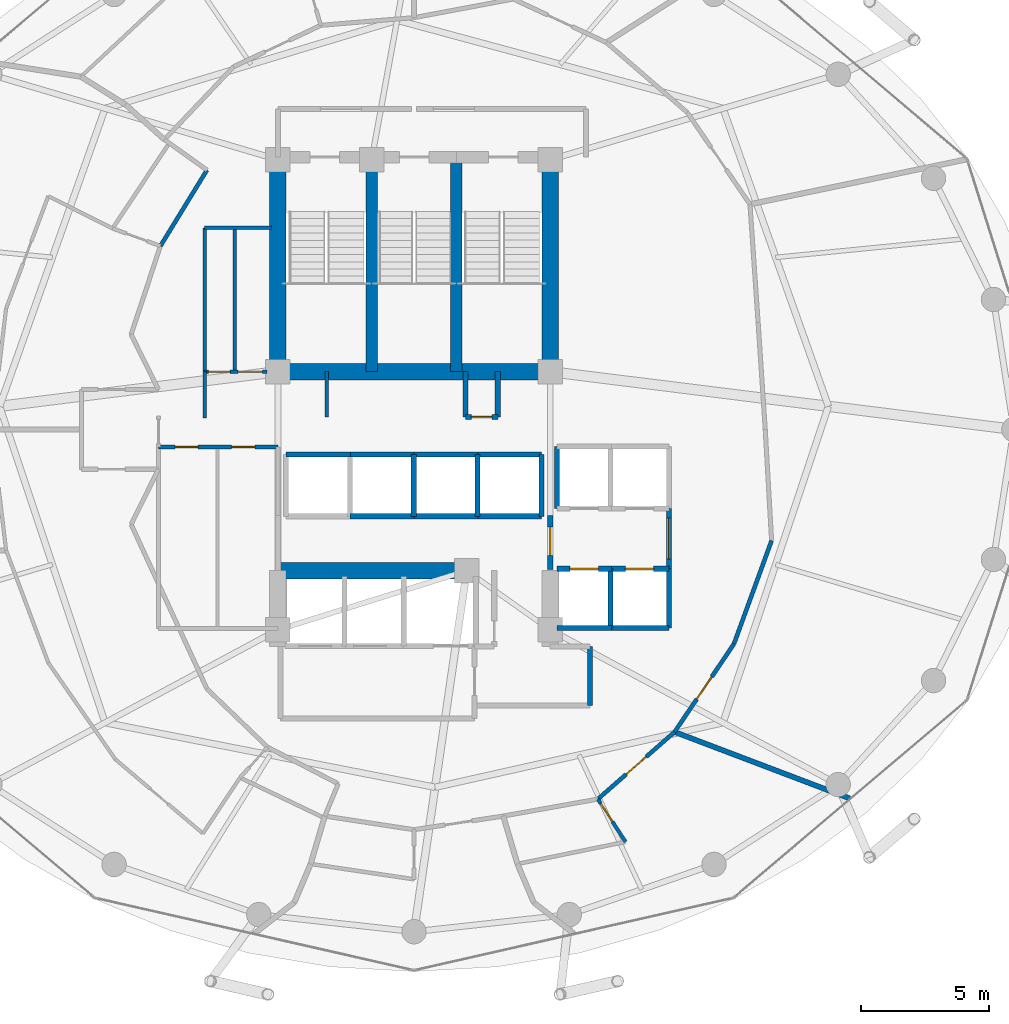
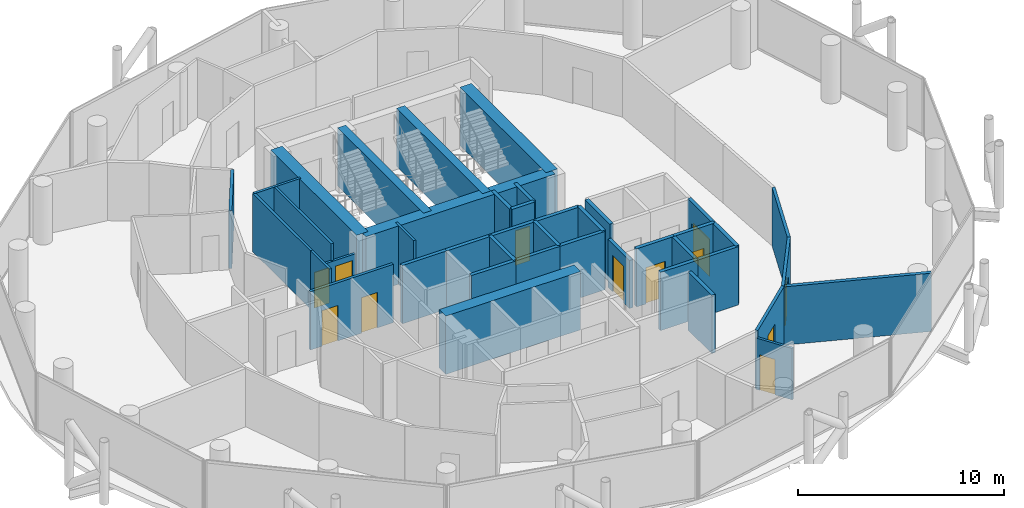
# One storey, part 23 of 26: 42 walls, 12 doors, 12 openings.
"""IFC4 building model written with IfcOpenShell, lengths in metres."""

from ifc_helpers import new_model, si_unit, direction, frame, frame_2d, origin, place, context, subcontext, project, spatial, rectangle, extrude, material, layer, layer_set, type_object, element, fill, save


model = new_model("IFC4")

# Units and contexts
model_context = context("Model", 3, precision=1e-05, world=origin(), true_north=direction((0.0, 1.0)))
body_context = subcontext(model_context, "Body", "Model", "MODEL_VIEW")
ifc_project = project(units=[si_unit("LENGTHUNIT", "METRE"), si_unit("AREAUNIT", "SQUARE_METRE"), si_unit("VOLUMEUNIT", "CUBIC_METRE"), si_unit("PLANEANGLEUNIT", "RADIAN"), si_unit("MASSUNIT", "GRAM", prefix="KILO")], contexts=[model_context])

# Site, building, storey
site_placement = place(None, origin())
site = spatial("IfcSite", under=ifc_project, at=site_placement, CompositionType="ELEMENT")
building_placement = place(site_placement, origin())
building = spatial("IfcBuilding", under=site, at=building_placement, Name="Nuhasar Tower", CompositionType="ELEMENT")
storey_placement = place(building_placement, frame((0.0, 0.0, 140.449951171875)))
storey = spatial("IfcBuildingStorey", under=building, at=storey_placement, Name="L33", CompositionType="ELEMENT", Elevation=140.449951171875)

# Walls
ifc_material_1 = material(Name="Concrete C50/60", Category="concrete")
ifc_layer_1 = layer(ifc_material_1, 0.449951171875)
ifc_layer_set_1 = layer_set([ifc_layer_1], Name="Concrete C50/60")
wall_type_1 = type_object("IfcWallType", Name="WL-CORE-450", PredefinedType="SHEAR", material=ifc_layer_set_1)
for number, where, z_axis, x_axis, name in (
    (1, (37.35009765625, 29.050048828125, 0.0), (0.0, 0.0, 1.0), (0.0, 1.0, 0.0), "L33 Stairwell Shear Wall ST01-E"),
    (2, (40.64990234375, 29.050048828125, 0.0), (0.0, 0.0, 1.0), (0.0, 1.0, 0.0), "L33 Stairwell Shear Wall ST03-E"),
):
    element("IfcWall", number, at=place(storey_placement, frame(where, z_axis=z_axis, x_axis=x_axis)), inside=storey, type_object=wall_type_1, Name=name, PredefinedType="SHEAR", context=body_context, shape_type="SweptSolid", body=[
        extrude(rectangle(XDim=8.349853515625, YDim=0.449951171875, at=frame_2d((4.1748046875, 0.0))), origin(), (0.0, 0.0, 1.0), 3.449951171875),
    ])
ifc_material_2 = material(Name="Concrete C65/80", Category="concrete")
ifc_layer_2 = layer(ifc_material_2, 0.64990234375)
ifc_layer_set_2 = layer_set([ifc_layer_2], Name="Concrete C65/80")
wall_type_2 = type_object("IfcWallType", Name="WL-CORE-650", PredefinedType="SHEAR", material=ifc_layer_set_2)
for number, where, z_axis, x_axis, name in (
    (3, (33.699951171875, 29.050048828125, 0.0), (0.0, 0.0, 1.0), (0.0, 1.0, 0.0), "L33 Core Shear Wall CW-NW CW-650"),
    (4, (44.300048828125, 29.050048828125, 0.0), (0.0, 0.0, 1.0), (0.0, 1.0, 0.0), "L33 Core Shear Wall CW-NE CW-650"),
):
    element("IfcWall", number, at=place(storey_placement, frame(where, z_axis=z_axis, x_axis=x_axis)), inside=storey, type_object=wall_type_2, Name=name, PredefinedType="SHEAR", context=body_context, shape_type="SweptSolid", body=[
        extrude(rectangle(XDim=8.349853515625, YDim=0.64990234375, at=frame_2d((4.1748046875, 0.0))), origin(), (0.0, 0.0, 1.0), 3.449951171875),
    ])
wall_1_placement = place(storey_placement, frame((33.699951171875, 29.050048828125, 0.0), z_axis=(0.0, 0.0, 1.0), x_axis=(1.0, 0.0, 0.0)))
element("IfcWall", 5, at=wall_1_placement, inside=storey, type_object=wall_type_2, Name="L33 Core Shear Wall CW-N1 CW-650", PredefinedType="SHEAR", context=body_context, shape_type="SweptSolid", body=[
    extrude(rectangle(XDim=10.60009765625, YDim=0.64990234375, at=frame_2d((5.300048828125, 0.0))), origin(), (0.0, 0.0, 1.0), 3.449951171875),
])
wall_2_placement = place(storey_placement, frame((33.699951171875, 21.300048828125, 0.0), z_axis=(0.0, 0.0, 1.0), x_axis=(1.0, 0.0, 0.0)))
element("IfcWall", 6, at=wall_2_placement, inside=storey, type_object=wall_type_2, Name="L33 Core Shear Wall CW-S1 CW-650", PredefinedType="SHEAR", context=body_context, shape_type="SweptSolid", body=[
    extrude(rectangle(XDim=7.550048828125, YDim=0.64990234375, at=frame_2d((3.77490234375, 0.0))), origin(), (0.0, 0.0, 1.0), 3.449951171875),
])

# Wall, openings, doors
ifc_material_3 = material(Name="Gypsum Board", Category="gypsum")
ifc_layer_3 = layer(ifc_material_3, 0.159912109375)
ifc_layer_set_3 = layer_set([ifc_layer_3], Name="Gypsum Board")
wall_type_3 = type_object("IfcWallType", Name="WL-CORR-160", PredefinedType="PARTITIONING", material=ifc_layer_set_3)
wall_3_placement = place(storey_placement, frame((33.699951171875, 26.1201171875, 0.0), z_axis=(0.0, 0.0, 1.0), x_axis=(-1.0, 0.0, 0.0)))
wall_3 = element("IfcWall", 7, at=wall_3_placement, inside=storey, type_object=wall_type_3, Name="L33 Interior Partition RECL-B1-N", PredefinedType="PARTITIONING", context=body_context, shape_type="SweptSolid", body=[
    extrude(rectangle(XDim=4.64990234375, YDim=0.159912109375, at=frame_2d((2.324951171875, 0.0))), origin(), (0.0, 0.0, 1.0), 3.449951171875),
])
opening_1_placement = place(wall_3_placement, frame((3.10009765625, 0.0, 0.0)))
opening_1 = element("IfcOpeningElement", 8, at=opening_1_placement, cuts=wall_3, Name="Opening DR-01", PredefinedType="OPENING", context=body_context, shape_type="SweptSolid", body=[
    extrude(rectangle(XDim=0.89990234375, YDim=2.10009765625, at=frame_2d((0.449951171875, 1.050048828125))), frame((0.0, 0.08984375, 0.0), z_axis=(0.0, -1.0, 0.0), x_axis=(1.0, 0.0, 0.0)), (0.0, 0.0, 1.0), 0.179931640625),
])
opening_2_placement = place(wall_3_placement, frame((0.89990234375, 0.0, 0.0)))
opening_2 = element("IfcOpeningElement", 9, at=opening_2_placement, cuts=wall_3, Name="Opening DR-01", PredefinedType="OPENING", context=body_context, shape_type="SweptSolid", body=[
    extrude(rectangle(XDim=0.89990234375, YDim=2.10009765625, at=frame_2d((0.449951171875, 1.050048828125))), frame((0.0, 0.08984375, 0.0), z_axis=(0.0, -1.0, 0.0), x_axis=(1.0, 0.0, 0.0)), (0.0, 0.0, 1.0), 0.179931640625),
])
ifc_material_4 = material(Name="Timber Oak", Category="wood")
door_type_1 = type_object("IfcDoorType", Name="DR-ROOM-900", OperationType="NOTDEFINED", PredefinedType="DOOR", material=ifc_material_4)
door_1_placement = place(opening_1_placement, origin())
door_1 = element("IfcDoor", 10, at=door_1_placement, inside=storey, type_object=door_type_1, Name="L33 Housekeeping Door", OperationType="SINGLE_SWING_RIGHT", OverallHeight=2.10009765625, OverallWidth=0.89990234375, PredefinedType="DOOR", context=body_context, shape_type="SweptSolid", body=[
    extrude(rectangle(XDim=0.89990234375, YDim=2.10009765625, at=frame_2d((0.449951171875, 1.050048828125))), frame((0.0, 0.02490234375, 0.0), z_axis=(0.0, -1.0, 0.0), x_axis=(1.0, 0.0, 0.0)), (0.0, 0.0, 1.0), 0.050048828125),
])
fill(opening_1, door_1)
door_2_placement = place(opening_2_placement, origin())
door_2 = element("IfcDoor", 11, at=door_2_placement, inside=storey, type_object=door_type_1, Name="L33 Valet Pantry Door", OperationType="SINGLE_SWING_LEFT", OverallHeight=2.10009765625, OverallWidth=0.89990234375, PredefinedType="DOOR", context=body_context, shape_type="SweptSolid", body=[
    extrude(rectangle(XDim=0.89990234375, YDim=2.10009765625, at=frame_2d((0.449951171875, 1.050048828125))), frame((0.0, 0.02490234375, 0.0), z_axis=(0.0, -1.0, 0.0), x_axis=(1.0, 0.0, 0.0)), (0.0, 0.0, 1.0), 0.050048828125),
])
fill(opening_2, door_2)

# Wall, opening, door
wall_4_placement = place(storey_placement, frame((49.14208984375, 15.02490234375, 0.0), z_axis=(0.0, 0.0, 1.0), x_axis=(-0.75268720087, -0.658378293724, 0.0)))
wall_4 = element("IfcWall", 12, at=wall_4_placement, inside=storey, type_object=wall_type_3, Name="L33 Interior Partition CORR-40", PredefinedType="PARTITIONING", context=body_context, shape_type="SweptSolid", body=[
    extrude(rectangle(XDim=3.968505859375, YDim=0.159912109375, at=frame_2d((1.984375, 0.0))), origin(), (0.0, 0.0, 1.0), 3.449951171875),
])
opening_3_placement = place(wall_4_placement, frame((1.458984375, 0.0, 0.0)))
opening_3 = element("IfcOpeningElement", 13, at=opening_3_placement, cuts=wall_4, Name="Opening DU-01", PredefinedType="OPENING", context=body_context, shape_type="SweptSolid", body=[
    extrude(rectangle(XDim=1.050048828125, YDim=2.14990234375, at=frame_2d((0.52490234375, 1.074951171875))), frame((0.0, 0.08984375, 0.0), z_axis=(0.0, -1.0, 0.0), x_axis=(1.0, 0.0, 0.0)), (0.0, 0.0, 1.0), 0.179931640625),
])
door_type_2 = type_object("IfcDoorType", Name="DR-SUITE-FD60-1050", OperationType="NOTDEFINED", PredefinedType="DOOR", material=ifc_material_4)
door_3_placement = place(opening_3_placement, origin())
door_3 = element("IfcDoor", 14, at=door_3_placement, inside=storey, type_object=door_type_2, Name="L33 Club Junior Suite 02 Entrance Door", OperationType="SINGLE_SWING_RIGHT", OverallHeight=2.14990234375, OverallWidth=1.050048828125, PredefinedType="DOOR", context=body_context, shape_type="SweptSolid", body=[
    extrude(rectangle(XDim=1.050048828125, YDim=2.14990234375, at=frame_2d((0.52490234375, 1.074951171875))), frame((0.0, 0.02490234375, 0.0), z_axis=(0.0, -1.0, 0.0), x_axis=(1.0, 0.0, 0.0)), (0.0, 0.0, 1.0), 0.050048828125),
])
fill(opening_3, door_3)

wall_5_placement = place(storey_placement, frame((51.452880859375, 18.452880859375, 0.0), z_axis=(0.0, 0.0, 1.0), x_axis=(-0.558958517312, -0.829195619818, 0.0)))
wall_5 = element("IfcWall", 15, at=wall_5_placement, inside=storey, type_object=wall_type_3, Name="L33 Interior Partition CORR-42", PredefinedType="PARTITIONING", context=body_context, shape_type="SweptSolid", body=[
    extrude(rectangle(XDim=4.134033203125, YDim=0.159912109375, at=frame_2d((2.06689453125, 0.0))), origin(), (0.0, 0.0, 1.0), 3.449951171875),
])
opening_4_placement = place(wall_5_placement, frame((1.5419921875, 0.0, 0.0)))
opening_4 = element("IfcOpeningElement", 16, at=opening_4_placement, cuts=wall_5, Name="Opening DU-01", PredefinedType="OPENING", context=body_context, shape_type="SweptSolid", body=[
    extrude(rectangle(XDim=1.050048828125, YDim=2.14990234375, at=frame_2d((0.52490234375, 1.074951171875))), frame((0.0, 0.08984375, 0.0), z_axis=(0.0, -1.0, 0.0), x_axis=(1.0, 0.0, 0.0)), (0.0, 0.0, 1.0), 0.179931640625),
])
door_4_placement = place(opening_4_placement, origin())
door_4 = element("IfcDoor", 17, at=door_4_placement, inside=storey, type_object=door_type_2, Name="L33 Executive Horizon Club Lounge Entrance Door", OperationType="SINGLE_SWING_LEFT", OverallHeight=2.14990234375, OverallWidth=1.050048828125, PredefinedType="DOOR", context=body_context, shape_type="SweptSolid", body=[
    extrude(rectangle(XDim=1.050048828125, YDim=2.14990234375, at=frame_2d((0.52490234375, 1.074951171875))), frame((0.0, 0.02490234375, 0.0), z_axis=(0.0, -1.0, 0.0), x_axis=(1.0, 0.0, 0.0)), (0.0, 0.0, 1.0), 0.050048828125),
])
fill(opening_4, door_4)

# Walls
wall_6_placement = place(storey_placement, frame((51.452880859375, 18.452880859375, 0.0), z_axis=(0.0, 0.0, 1.0), x_axis=(0.342563364573, 0.93949472657, 0.0)))
element("IfcWall", 18, at=wall_6_placement, inside=storey, type_object=wall_type_3, Name="L33 Interior Partition CORR-44", PredefinedType="PARTITIONING", context=body_context, shape_type="SweptSolid", body=[
    extrude(rectangle(XDim=4.27685546875, YDim=0.159912109375, at=frame_2d((2.138427734375, 0.0))), origin(), (0.0, 0.0, 1.0), 3.449951171875),
])
wall_7_placement = place(storey_placement, frame((30.93896484375, 36.89697265625, 0.0), z_axis=(0.0, 0.0, 1.0), x_axis=(-0.522486120877, -0.852647789823, 0.0)))
element("IfcWall", 19, at=wall_7_placement, inside=storey, type_object=wall_type_3, Name="L33 Interior Partition HWEST-CORE-N-18", PredefinedType="PARTITIONING", context=body_context, shape_type="SweptSolid", body=[
    extrude(rectangle(XDim=3.468017578125, YDim=0.159912109375, at=frame_2d((1.73388671875, 0.0))), origin(), (0.0, 0.0, 1.0), 3.449951171875),
])

# Wall, opening, door
ifc_material_5 = material(Name="Concrete C45/55", Category="concrete")
ifc_layer_4 = layer(ifc_material_5, 0.199951171875)
ifc_layer_set_4 = layer_set([ifc_layer_4], Name="Concrete C45/55")
wall_type_4 = type_object("IfcWallType", Name="WL-LOBBY-200", PredefinedType="SOLIDWALL", material=ifc_layer_set_4)
wall_8_placement = place(storey_placement, frame((48.929931640625, 21.3798828125, 0.0), z_axis=(0.0, 0.0, 1.0), x_axis=(0.0, 1.0, 0.0)))
wall_8 = element("IfcWall", 20, at=wall_8_placement, inside=storey, type_object=wall_type_4, Name="L33 Interior Partition LLBM-E", PredefinedType="SOLIDWALL", context=body_context, shape_type="SweptSolid", body=[
    extrude(rectangle(XDim=2.340087890625, YDim=0.199951171875, at=frame_2d((1.169921875, 0.0))), origin(), (0.0, 0.0, 1.0), 3.449951171875),
])
opening_5_placement = place(wall_8_placement, frame((0.3701171875, 0.0, 0.0)))
opening_5 = element("IfcOpeningElement", 21, at=opening_5_placement, cuts=wall_8, Name="Opening DC-01", PredefinedType="OPENING", context=body_context, shape_type="SweptSolid", body=[
    extrude(rectangle(XDim=1.60009765625, YDim=2.199951171875, at=frame_2d((0.800048828125, 1.10009765625))), frame((0.0, 0.10986328125, 0.0), z_axis=(0.0, -1.0, 0.0), x_axis=(1.0, 0.0, 0.0)), (0.0, 0.0, 1.0), 0.219970703125),
])
ifc_material_6 = material(Name="Steel S355", Category="steel")
door_type_3 = type_object("IfcDoorType", Name="DR-CORR-FD60-1600", OperationType="DOUBLE_DOOR_SINGLE_SWING", PredefinedType="DOOR", material=ifc_material_6)
door_5_placement = place(opening_5_placement, origin())
door_5 = element("IfcDoor", 22, at=door_5_placement, inside=storey, type_object=door_type_3, Name="L33 Mid-Rise Lift Lobby East Entry", OperationType="DOUBLE_DOOR_SINGLE_SWING", OverallHeight=2.199951171875, OverallWidth=1.60009765625, PredefinedType="DOOR", context=body_context, shape_type="SweptSolid", body=[
    extrude(rectangle(XDim=1.60009765625, YDim=2.199951171875, at=frame_2d((0.800048828125, 1.10009765625))), frame((0.0, 0.02490234375, 0.0), z_axis=(0.0, -1.0, 0.0), x_axis=(1.0, 0.0, 0.0)), (0.0, 0.0, 1.0), 0.050048828125),
])
fill(opening_5, door_5)

wall_9_placement = place(storey_placement, frame((44.300048828125, 21.35009765625, 0.0), z_axis=(0.0, 0.0, 1.0), x_axis=(0.0, 1.0, 0.0)))
wall_9 = element("IfcWall", 23, at=wall_9_placement, inside=storey, type_object=wall_type_4, Name="L33 Interior Partition LLBH-E", PredefinedType="SOLIDWALL", context=body_context, shape_type="SweptSolid", body=[
    extrude(rectangle(XDim=2.099853515625, YDim=0.199951171875, at=frame_2d((1.0498046875, 0.0))), origin(), (0.0, 0.0, 1.0), 2.8349609375),
])
opening_6_placement = place(wall_9_placement, frame((0.550048828125, 0.0, 0.0)))
opening_6 = element("IfcOpeningElement", 24, at=opening_6_placement, cuts=wall_9, Name="Opening DS-02", PredefinedType="OPENING", context=body_context, shape_type="SweptSolid", body=[
    extrude(rectangle(XDim=1.10009765625, YDim=2.14990234375, at=frame_2d((0.550048828125, 1.074951171875))), frame((0.0, 0.10986328125, 0.0), z_axis=(0.0, -1.0, 0.0), x_axis=(1.0, 0.0, 0.0)), (0.0, 0.0, 1.0), 0.219970703125),
])
door_type_4 = type_object("IfcDoorType", Name="DR-FFL-FD120-1100", OperationType="NOTDEFINED", PredefinedType="DOOR", material=ifc_material_6)
door_6_placement = place(opening_6_placement, origin())
door_6 = element("IfcDoor", 25, at=door_6_placement, inside=storey, type_object=door_type_4, Name="L33 High-Rise Lobby East Door", OperationType="SINGLE_SWING_RIGHT", OverallHeight=2.14990234375, OverallWidth=1.10009765625, PredefinedType="DOOR", context=body_context, shape_type="SweptSolid", body=[
    extrude(rectangle(XDim=1.10009765625, YDim=2.14990234375, at=frame_2d((0.550048828125, 1.074951171875))), frame((0.0, 0.02490234375, 0.0), z_axis=(0.0, -1.0, 0.0), x_axis=(1.0, 0.0, 0.0)), (0.0, 0.0, 1.0), 0.050048828125),
])
fill(opening_6, door_6)

# Walls
wall_10_placement = place(storey_placement, frame((45.85009765625, 16.050048828125, 0.0), z_axis=(0.0, 0.0, 1.0), x_axis=(0.0, 1.0, 0.0)))
element("IfcWall", 26, at=wall_10_placement, inside=storey, type_object=wall_type_4, Name="L33 Interior Partition SVLV-E", PredefinedType="SOLIDWALL", context=body_context, shape_type="SweptSolid", body=[
    extrude(rectangle(XDim=2.300048828125, YDim=0.199951171875, at=frame_2d((1.14990234375, 0.0))), origin(), (0.0, 0.0, 1.0), 3.449951171875),
])
ifc_layer_5 = layer(ifc_material_5, 0.199951171875)
ifc_layer_set_5 = layer_set([ifc_layer_5], Name="Concrete C45/55")
wall_type_5 = type_object("IfcWallType", Name="WL-SHAFT-200", PredefinedType="SOLIDWALL", material=ifc_layer_set_5)
for number, where, z_axis, x_axis, name in (
    (27, (41.0, 27.280029296875, 0.0), (0.0, 0.0, 1.0), (0.0, 1.0, 0.0), "L33 Interior Partition RSRN-W"),
    (28, (42.260009765625, 27.280029296875, 0.0), (0.0, 0.0, 1.0), (0.0, 1.0, 0.0), "L33 Interior Partition RSRN-E"),
):
    element("IfcWall", number, at=place(storey_placement, frame(where, z_axis=z_axis, x_axis=x_axis)), inside=storey, type_object=wall_type_5, Name=name, PredefinedType="SOLIDWALL", context=body_context, shape_type="SweptSolid", body=[
        extrude(rectangle(XDim=1.77001953125, YDim=0.199951171875, at=frame_2d((0.885009765625, 0.0))), origin(), (0.0, 0.0, 1.0), 3.449951171875),
    ])

# Wall, opening, door
wall_11_placement = place(storey_placement, frame((41.0, 27.280029296875, 0.0), z_axis=(0.0, 0.0, 1.0), x_axis=(1.0, 0.0, 0.0)))
wall_11 = element("IfcWall", 29, at=wall_11_placement, inside=storey, type_object=wall_type_5, Name="L33 Interior Partition RSRN-S", PredefinedType="SOLIDWALL", context=body_context, shape_type="SweptSolid", body=[
    extrude(rectangle(XDim=1.260009765625, YDim=0.199951171875, at=frame_2d((0.6298828125, 0.0))), origin(), (0.0, 0.0, 1.0), 3.449951171875),
])
opening_7_placement = place(wall_11_placement, frame((0.22998046875, 0.0, 0.0)))
opening_7 = element("IfcOpeningElement", 30, at=opening_7_placement, cuts=wall_11, Name="Opening DM-01", PredefinedType="OPENING", context=body_context, shape_type="SweptSolid", body=[
    extrude(rectangle(XDim=0.800048828125, YDim=2.050048828125, at=frame_2d((0.39990234375, 1.02490234375))), frame((0.0, 0.10986328125, 0.0), z_axis=(0.0, -1.0, 0.0), x_axis=(1.0, 0.0, 0.0)), (0.0, 0.0, 1.0), 0.219970703125),
])
door_type_5 = type_object("IfcDoorType", Name="DR-RISER-FD60-800", OperationType="NOTDEFINED", PredefinedType="DOOR", material=ifc_material_6)
door_7_placement = place(opening_7_placement, origin())
door_7 = element("IfcDoor", 31, at=door_7_placement, inside=storey, type_object=door_type_5, Name="L33 North Smoke Riser Door", OperationType="SINGLE_SWING_RIGHT", OverallHeight=2.050048828125, OverallWidth=0.800048828125, PredefinedType="DOOR", context=body_context, shape_type="SweptSolid", body=[
    extrude(rectangle(XDim=0.800048828125, YDim=2.050048828125, at=frame_2d((0.39990234375, 1.02490234375))), frame((0.0, 0.02490234375, 0.0), z_axis=(0.0, -1.0, 0.0), x_axis=(1.0, 0.0, 0.0)), (0.0, 0.0, 1.0), 0.050048828125),
])
fill(opening_7, door_7)

# Walls
wall_12_placement = place(storey_placement, frame((44.570068359375, 23.719970703125, 0.0), z_axis=(0.0, 0.0, 1.0), x_axis=(0.0, 1.0, 0.0)))
element("IfcWall", 32, at=wall_12_placement, inside=storey, type_object=wall_type_5, Name="L33 Interior Partition SHF-PL-M01-W", PredefinedType="SOLIDWALL", context=body_context, shape_type="SweptSolid", body=[
    extrude(rectangle(XDim=2.409912109375, YDim=0.199951171875, at=frame_2d((1.205078125, 0.0))), origin(), (0.0, 0.0, 1.0), 3.449951171875),
])
wall_13_placement = place(storey_placement, frame((44.570068359375, 19.070068359375, 0.0), z_axis=(0.0, 0.0, 1.0), x_axis=(1.0, 0.0, 0.0)))
element("IfcWall", 33, at=wall_13_placement, inside=storey, type_object=wall_type_5, Name="L33 Interior Partition SHF-PL-M03-S", PredefinedType="SOLIDWALL", context=body_context, shape_type="SweptSolid", body=[
    extrude(rectangle(XDim=2.10986328125, YDim=0.199951171875, at=frame_2d((1.054931640625, 0.0))), origin(), (0.0, 0.0, 1.0), 3.449951171875),
])

# Wall, opening, door
wall_14_placement = place(storey_placement, frame((44.570068359375, 21.3798828125, 0.0), z_axis=(0.0, 0.0, 1.0), x_axis=(1.0, 0.0, 0.0)))
wall_14 = element("IfcWall", 34, at=wall_14_placement, inside=storey, type_object=wall_type_5, Name="L33 Interior Partition SHF-PL-M03-N", PredefinedType="SOLIDWALL", context=body_context, shape_type="SweptSolid", body=[
    extrude(rectangle(XDim=2.10986328125, YDim=0.199951171875, at=frame_2d((1.054931640625, 0.0))), origin(), (0.0, 0.0, 1.0), 3.449951171875),
])
opening_8_placement = place(wall_14_placement, frame((0.5048828125, 0.0, 0.0)))
opening_8 = element("IfcOpeningElement", 35, at=opening_8_placement, cuts=wall_14, Name="Opening LD-M03", PredefinedType="OPENING", context=body_context, shape_type="SweptSolid", body=[
    extrude(rectangle(XDim=1.10009765625, YDim=2.14990234375, at=frame_2d((0.550048828125, 1.074951171875))), frame((0.0, 0.10986328125, 0.0), z_axis=(0.0, -1.0, 0.0), x_axis=(1.0, 0.0, 0.0)), (0.0, 0.0, 1.0), 0.219970703125),
])
ifc_material_7 = material(Name="Stainless Steel 316L", Category="steel")
door_type_6 = type_object("IfcDoorType", Name="LD-PAX-1100", OperationType="DOUBLE_DOOR_SLIDING", PredefinedType="DOOR", material=ifc_material_7)
door_8_placement = place(opening_8_placement, origin())
door_8 = element("IfcDoor", 36, at=door_8_placement, inside=storey, type_object=door_type_6, Name="L33 Lift Landing Door PL-M03", OperationType="DOUBLE_DOOR_SLIDING", OverallHeight=2.14990234375, OverallWidth=1.10009765625, PredefinedType="DOOR", context=body_context, shape_type="SweptSolid", body=[
    extrude(rectangle(XDim=1.10009765625, YDim=2.14990234375, at=frame_2d((0.550048828125, 1.074951171875))), frame((0.0, 0.02490234375, 0.0), z_axis=(0.0, -1.0, 0.0), x_axis=(1.0, 0.0, 0.0)), (0.0, 0.0, 1.0), 0.050048828125),
])
fill(opening_8, door_8)

# Walls
for number, where, z_axis, x_axis, name in (
    (37, (46.64990234375, 19.070068359375, 0.0), (0.0, 0.0, 1.0), (0.0, 1.0, 0.0), "L33 Interior Partition SHF-PL-M03-E"),
    (38, (46.6201171875, 19.070068359375, 0.0), (0.0, 0.0, 1.0), (1.0, 0.0, 0.0), "L33 Interior Partition SHF-PL-M04-S"),
):
    element("IfcWall", number, at=place(storey_placement, frame(where, z_axis=z_axis, x_axis=x_axis)), inside=storey, type_object=wall_type_5, Name=name, PredefinedType="SOLIDWALL", context=body_context, shape_type="SweptSolid", body=[
        extrude(rectangle(XDim=2.309814453125, YDim=0.199951171875, at=frame_2d((1.15478515625, 0.0))), origin(), (0.0, 0.0, 1.0), 3.449951171875),
    ])

# Wall, opening, door
wall_15_placement = place(storey_placement, frame((46.6201171875, 21.3798828125, 0.0), z_axis=(0.0, 0.0, 1.0), x_axis=(1.0, 0.0, 0.0)))
wall_15 = element("IfcWall", 39, at=wall_15_placement, inside=storey, type_object=wall_type_5, Name="L33 Interior Partition SHF-PL-M04-N", PredefinedType="SOLIDWALL", context=body_context, shape_type="SweptSolid", body=[
    extrude(rectangle(XDim=2.309814453125, YDim=0.199951171875, at=frame_2d((1.15478515625, 0.0))), origin(), (0.0, 0.0, 1.0), 3.449951171875),
])
opening_9_placement = place(wall_15_placement, frame((0.60498046875, 0.0, 0.0)))
opening_9 = element("IfcOpeningElement", 40, at=opening_9_placement, cuts=wall_15, Name="Opening LD-M04", PredefinedType="OPENING", context=body_context, shape_type="SweptSolid", body=[
    extrude(rectangle(XDim=1.10009765625, YDim=2.14990234375, at=frame_2d((0.550048828125, 1.074951171875))), frame((0.0, 0.10986328125, 0.0), z_axis=(0.0, -1.0, 0.0), x_axis=(1.0, 0.0, 0.0)), (0.0, 0.0, 1.0), 0.219970703125),
])
door_9_placement = place(opening_9_placement, origin())
door_9 = element("IfcDoor", 41, at=door_9_placement, inside=storey, type_object=door_type_6, Name="L33 Lift Landing Door PL-M04", OperationType="DOUBLE_DOOR_SLIDING", OverallHeight=2.14990234375, OverallWidth=1.10009765625, PredefinedType="DOOR", context=body_context, shape_type="SweptSolid", body=[
    extrude(rectangle(XDim=1.10009765625, YDim=2.14990234375, at=frame_2d((0.550048828125, 1.074951171875))), frame((0.0, 0.02490234375, 0.0), z_axis=(0.0, -1.0, 0.0), x_axis=(1.0, 0.0, 0.0)), (0.0, 0.0, 1.0), 0.050048828125),
])
fill(opening_9, door_9)

# Walls
wall_16_placement = place(storey_placement, frame((48.929931640625, 19.070068359375, 0.0), z_axis=(0.0, 0.0, 1.0), x_axis=(0.0, 1.0, 0.0)))
element("IfcWall", 42, at=wall_16_placement, inside=storey, type_object=wall_type_5, Name="L33 Interior Partition SHF-PL-M04-E", PredefinedType="SOLIDWALL", context=body_context, shape_type="SweptSolid", body=[
    extrude(rectangle(XDim=2.309814453125, YDim=0.199951171875, at=frame_2d((1.15478515625, 0.0))), origin(), (0.0, 0.0, 1.0), 3.449951171875),
])
for number, where, z_axis, x_axis, name in (
    (43, (34.02001953125, 25.830078125, 0.0), (0.0, 0.0, 1.0), (1.0, 0.0, 0.0), "L33 Interior Partition SHF-PL-H01-N"),
    (44, (36.5, 23.419921875, 0.0), (0.0, 0.0, 1.0), (1.0, 0.0, 0.0), "L33 Interior Partition SHF-PL-H02-S"),
    (45, (36.5, 25.830078125, 0.0), (0.0, 0.0, 1.0), (1.0, 0.0, 0.0), "L33 Interior Partition SHF-PL-H02-N"),
):
    element("IfcWall", number, at=place(storey_placement, frame(where, z_axis=z_axis, x_axis=x_axis)), inside=storey, type_object=wall_type_5, Name=name, PredefinedType="SOLIDWALL", context=body_context, shape_type="SweptSolid", body=[
        extrude(rectangle(XDim=2.5, YDim=0.199951171875, at=frame_2d((1.25, 0.0))), origin(), (0.0, 0.0, 1.0), 3.449951171875),
    ])
wall_17_placement = place(storey_placement, frame((38.989990234375, 23.419921875, 0.0), z_axis=(0.0, 0.0, 1.0), x_axis=(0.0, 1.0, 0.0)))
element("IfcWall", 46, at=wall_17_placement, inside=storey, type_object=wall_type_5, Name="L33 Interior Partition SHF-PL-H02-E", PredefinedType="SOLIDWALL", context=body_context, shape_type="SweptSolid", body=[
    extrude(rectangle(XDim=2.41015625, YDim=0.199951171875, at=frame_2d((1.205078125, 0.0))), origin(), (0.0, 0.0, 1.0), 3.449951171875),
])
for number, where, z_axis, x_axis, name in (
    (47, (38.97998046875, 23.419921875, 0.0), (0.0, 0.0, 1.0), (1.0, 0.0, 0.0), "L33 Interior Partition SHF-PL-H03-S"),
    (48, (38.97998046875, 25.830078125, 0.0), (0.0, 0.0, 1.0), (1.0, 0.0, 0.0), "L33 Interior Partition SHF-PL-H03-N"),
):
    element("IfcWall", number, at=place(storey_placement, frame(where, z_axis=z_axis, x_axis=x_axis)), inside=storey, type_object=wall_type_5, Name=name, PredefinedType="SOLIDWALL", context=body_context, shape_type="SweptSolid", body=[
        extrude(rectangle(XDim=2.5, YDim=0.199951171875, at=frame_2d((1.25, 0.0))), origin(), (0.0, 0.0, 1.0), 3.449951171875),
    ])
wall_18_placement = place(storey_placement, frame((41.469970703125, 23.419921875, 0.0), z_axis=(0.0, 0.0, 1.0), x_axis=(0.0, 1.0, 0.0)))
element("IfcWall", 49, at=wall_18_placement, inside=storey, type_object=wall_type_5, Name="L33 Interior Partition SHF-PL-H03-E", PredefinedType="SOLIDWALL", context=body_context, shape_type="SweptSolid", body=[
    extrude(rectangle(XDim=2.41015625, YDim=0.199951171875, at=frame_2d((1.205078125, 0.0))), origin(), (0.0, 0.0, 1.0), 3.449951171875),
])
for number, where, z_axis, x_axis, name in (
    (50, (41.4599609375, 23.419921875, 0.0), (0.0, 0.0, 1.0), (1.0, 0.0, 0.0), "L33 Interior Partition SHF-PL-H04-S"),
    (51, (41.4599609375, 25.830078125, 0.0), (0.0, 0.0, 1.0), (1.0, 0.0, 0.0), "L33 Interior Partition SHF-PL-H04-N"),
):
    element("IfcWall", number, at=place(storey_placement, frame(where, z_axis=z_axis, x_axis=x_axis)), inside=storey, type_object=wall_type_5, Name=name, PredefinedType="SOLIDWALL", context=body_context, shape_type="SweptSolid", body=[
        extrude(rectangle(XDim=2.5, YDim=0.199951171875, at=frame_2d((1.25, 0.0))), origin(), (0.0, 0.0, 1.0), 3.449951171875),
    ])
wall_19_placement = place(storey_placement, frame((43.9599609375, 23.419921875, 0.0), z_axis=(0.0, 0.0, 1.0), x_axis=(0.0, 1.0, 0.0)))
element("IfcWall", 52, at=wall_19_placement, inside=storey, type_object=wall_type_5, Name="L33 Interior Partition SHF-PL-H04-E", PredefinedType="SOLIDWALL", context=body_context, shape_type="SweptSolid", body=[
    extrude(rectangle(XDim=2.41015625, YDim=0.199951171875, at=frame_2d((1.205078125, 0.0))), origin(), (0.0, 0.0, 1.0), 3.449951171875),
])
ifc_material_8 = material(Name="Concrete C40/50 precast", Category="concrete")
ifc_layer_6 = layer(ifc_material_8, 0.199951171875)
ifc_layer_set_6 = layer_set([ifc_layer_6], Name="Concrete C40/50 precast")
wall_type_6 = type_object("IfcWallType", Name="WL-UNIT-200", PredefinedType="PARTITIONING", material=ifc_layer_set_6)
wall_20_placement = place(storey_placement, frame((49.14208984375, 15.02490234375, 0.0), z_axis=(0.0, 0.0, 1.0), x_axis=(0.934936992943, -0.354813781055, 0.0)))
element("IfcWall", 53, at=wall_20_placement, inside=storey, type_object=wall_type_6, Name="L33 Interior Partition HRAD-42", PredefinedType="PARTITIONING", context=body_context, shape_type="SweptSolid", body=[
    extrude(rectangle(XDim=7.2880859375, YDim=0.199951171875, at=frame_2d((3.64404296875, 0.0))), origin(), (0.0, 0.0, 1.0), 3.449951171875),
])
ifc_layer_7 = layer(ifc_material_8, 0.139892578125)
ifc_layer_set_7 = layer_set([ifc_layer_7], Name="Concrete C40/50 precast")
wall_type_7 = type_object("IfcWallType", Name="WL-WET-140", PredefinedType="PARTITIONING", material=ifc_layer_set_7)
wall_21_placement = place(storey_placement, frame((35.60009765625, 27.280029296875, 0.0), z_axis=(0.0, 0.0, 1.0), x_axis=(0.0, 1.0, 0.0)))
element("IfcWall", 54, at=wall_21_placement, inside=storey, type_object=wall_type_7, Name="L33 Interior Partition CSVC-W", PredefinedType="PARTITIONING", context=body_context, shape_type="SweptSolid", body=[
    extrude(rectangle(XDim=1.77001953125, YDim=0.139892578125, at=frame_2d((0.885009765625, 0.0))), origin(), (0.0, 0.0, 1.0), 3.449951171875),
])
wall_22_placement = place(storey_placement, frame((30.85009765625, 27.239990234375, 0.0), z_axis=(0.0, 0.0, 1.0), x_axis=(0.0, 1.0, 0.0)))
element("IfcWall", 55, at=wall_22_placement, inside=storey, type_object=wall_type_7, Name="L33 Interior Partition K2-FOY-W", PredefinedType="PARTITIONING", context=body_context, shape_type="SweptSolid", body=[
    extrude(rectangle(XDim=1.81005859375, YDim=0.139892578125, at=frame_2d((0.905029296875, 0.0))), origin(), (0.0, 0.0, 1.0), 3.449951171875),
])

# Wall, openings, doors
wall_23_placement = place(storey_placement, frame((30.85009765625, 29.050048828125, 0.0), z_axis=(0.0, 0.0, 1.0), x_axis=(1.0, 0.0, 0.0)))
wall_23 = element("IfcWall", 56, at=wall_23_placement, inside=storey, type_object=wall_type_7, Name="L33 Interior Partition K2-NW-S", PredefinedType="PARTITIONING", context=body_context, shape_type="SweptSolid", body=[
    extrude(rectangle(XDim=2.429931640625, YDim=0.139892578125, at=frame_2d((1.21484375, 0.0))), origin(), (0.0, 0.0, 1.0), 2.43994140625),
])
opening_10_placement = place(wall_23_placement, frame((0.139892578125, 0.0, 0.0)))
opening_10 = element("IfcOpeningElement", 57, at=opening_10_placement, cuts=wall_23, Name="Opening DB-01", PredefinedType="OPENING", context=body_context, shape_type="SweptSolid", body=[
    extrude(rectangle(XDim=0.85009765625, YDim=2.10009765625, at=frame_2d((0.425048828125, 1.050048828125))), frame((0.0, 0.080078125, 0.0), z_axis=(0.0, -1.0, 0.0), x_axis=(1.0, 0.0, 0.0)), (0.0, 0.0, 1.0), 0.159912109375),
])
opening_11_placement = place(wall_23_placement, frame((1.300048828125, 0.0, 0.0)))
opening_11 = element("IfcOpeningElement", 58, at=opening_11_placement, cuts=wall_23, Name="Opening DA-01", PredefinedType="OPENING", context=body_context, shape_type="SweptSolid", body=[
    extrude(rectangle(XDim=0.949951171875, YDim=2.10009765625, at=frame_2d((0.47509765625, 1.050048828125))), frame((0.0, 0.080078125, 0.0), z_axis=(0.0, -1.0, 0.0), x_axis=(1.0, 0.0, 0.0)), (0.0, 0.0, 1.0), 0.159912109375),
])
door_type_7 = type_object("IfcDoorType", Name="DR-ACCWC-950", OperationType="NOTDEFINED", PredefinedType="DOOR", material=ifc_material_4)
door_10_placement = place(opening_11_placement, origin())
door_10 = element("IfcDoor", 59, at=door_10_placement, inside=storey, type_object=door_type_7, Name="L33 NW Accessible WC Door", OperationType="SINGLE_SWING_RIGHT", OverallHeight=2.10009765625, OverallWidth=0.949951171875, PredefinedType="DOOR", context=body_context, shape_type="SweptSolid", body=[
    extrude(rectangle(XDim=0.949951171875, YDim=2.10009765625, at=frame_2d((0.47509765625, 1.050048828125))), frame((0.0, 0.02490234375, 0.0), z_axis=(0.0, -1.0, 0.0), x_axis=(1.0, 0.0, 0.0)), (0.0, 0.0, 1.0), 0.050048828125),
])
fill(opening_11, door_10)
door_type_8 = type_object("IfcDoorType", Name="DR-BATH-850", OperationType="NOTDEFINED", PredefinedType="DOOR", material=ifc_material_4)
door_11_placement = place(opening_10_placement, origin())
door_11 = element("IfcDoor", 60, at=door_11_placement, inside=storey, type_object=door_type_8, Name="L33 NW Female WC Door", OperationType="SINGLE_SWING_LEFT", OverallHeight=2.10009765625, OverallWidth=0.85009765625, PredefinedType="DOOR", context=body_context, shape_type="SweptSolid", body=[
    extrude(rectangle(XDim=0.85009765625, YDim=2.10009765625, at=frame_2d((0.425048828125, 1.050048828125))), frame((0.0, 0.02490234375, 0.0), z_axis=(0.0, -1.0, 0.0), x_axis=(1.0, 0.0, 0.0)), (0.0, 0.0, 1.0), 0.050048828125),
])
fill(opening_10, door_11)

# Walls
wall_24_placement = place(storey_placement, frame((32.02001953125, 29.050048828125, 0.0), z_axis=(0.0, 0.0, 1.0), x_axis=(0.0, 1.0, 0.0)))
element("IfcWall", 61, at=wall_24_placement, inside=storey, type_object=wall_type_7, Name="L33 Interior Partition K2-NW-V", PredefinedType="PARTITIONING", context=body_context, shape_type="SweptSolid", body=[
    extrude(rectangle(XDim=5.599853515625, YDim=0.139892578125, at=frame_2d((2.7998046875, 0.0))), origin(), (0.0, 0.0, 1.0), 3.449951171875),
])
wall_25_placement = place(storey_placement, frame((30.85009765625, 34.64990234375, 0.0), z_axis=(0.0, 0.0, 1.0), x_axis=(1.0, 0.0, 0.0)))
element("IfcWall", 62, at=wall_25_placement, inside=storey, type_object=wall_type_7, Name="L33 Interior Partition K2-NW-N", PredefinedType="PARTITIONING", context=body_context, shape_type="SweptSolid", body=[
    extrude(rectangle(XDim=2.599853515625, YDim=0.139892578125, at=frame_2d((1.2998046875, 0.0))), origin(), (0.0, 0.0, 1.0), 3.449951171875),
])
wall_26_placement = place(storey_placement, frame((30.85009765625, 29.050048828125, 0.0), z_axis=(0.0, 0.0, 1.0), x_axis=(0.0, 1.0, 0.0)))
element("IfcWall", 63, at=wall_26_placement, inside=storey, type_object=wall_type_7, Name="L33 Interior Partition K2-NW-W", PredefinedType="PARTITIONING", context=body_context, shape_type="SweptSolid", body=[
    extrude(rectangle(XDim=5.599853515625, YDim=0.139892578125, at=frame_2d((2.7998046875, 0.0))), origin(), (0.0, 0.0, 1.0), 3.449951171875),
])

# Wall, opening, door
wall_27_placement = place(storey_placement, frame((46.155029296875, 12.412109375, 0.0), z_axis=(0.0, 0.0, 1.0), x_axis=(0.542510953231, -0.840048728125, 0.0)))
wall_27 = element("IfcWall", 64, at=wall_27_placement, inside=storey, type_object=wall_type_7, Name="L33 Interior Partition HBW-02", PredefinedType="PARTITIONING", context=body_context, shape_type="SweptSolid", body=[
    extrude(rectangle(XDim=1.983154296875, YDim=0.139892578125, at=frame_2d((0.99169921875, 0.0))), origin(), (0.0, 0.0, 1.0), 3.0400390625),
])
opening_12_placement = place(wall_27_placement, frame((0.199951171875, 0.0, 0.0)))
opening_12 = element("IfcOpeningElement", 65, at=opening_12_placement, cuts=wall_27, Name="Opening DB-01", PredefinedType="OPENING", context=body_context, shape_type="SweptSolid", body=[
    extrude(rectangle(XDim=0.85009765625, YDim=2.10009765625, at=frame_2d((0.425048828125, 1.050048828125))), frame((0.0, 0.080078125, 0.0), z_axis=(0.0, -1.0, 0.0), x_axis=(1.0, 0.0, 0.0)), (0.0, 0.0, 1.0), 0.159912109375),
])
door_12_placement = place(opening_12_placement, origin())
door_12 = element("IfcDoor", 66, at=door_12_placement, inside=storey, type_object=door_type_8, Name="L33 Club Junior Suite 02 En-Suite Door", OperationType="SINGLE_SWING_LEFT", OverallHeight=2.10009765625, OverallWidth=0.85009765625, PredefinedType="DOOR", context=body_context, shape_type="SweptSolid", body=[
    extrude(rectangle(XDim=0.85009765625, YDim=2.10009765625, at=frame_2d((0.425048828125, 1.050048828125))), frame((0.0, 0.02490234375, 0.0), z_axis=(0.0, -1.0, 0.0), x_axis=(1.0, 0.0, 0.0)), (0.0, 0.0, 1.0), 0.050048828125),
])
fill(opening_12, door_12)

save(model, "model.ifc")
